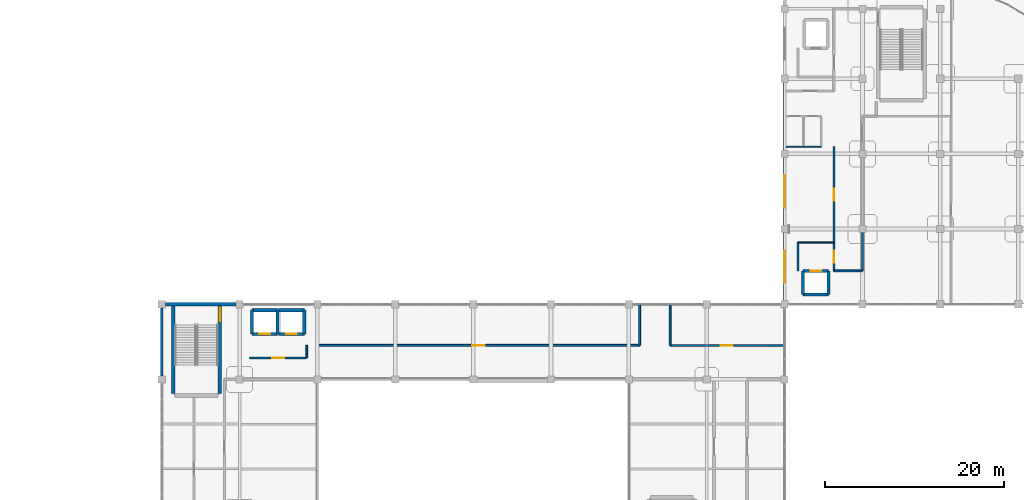
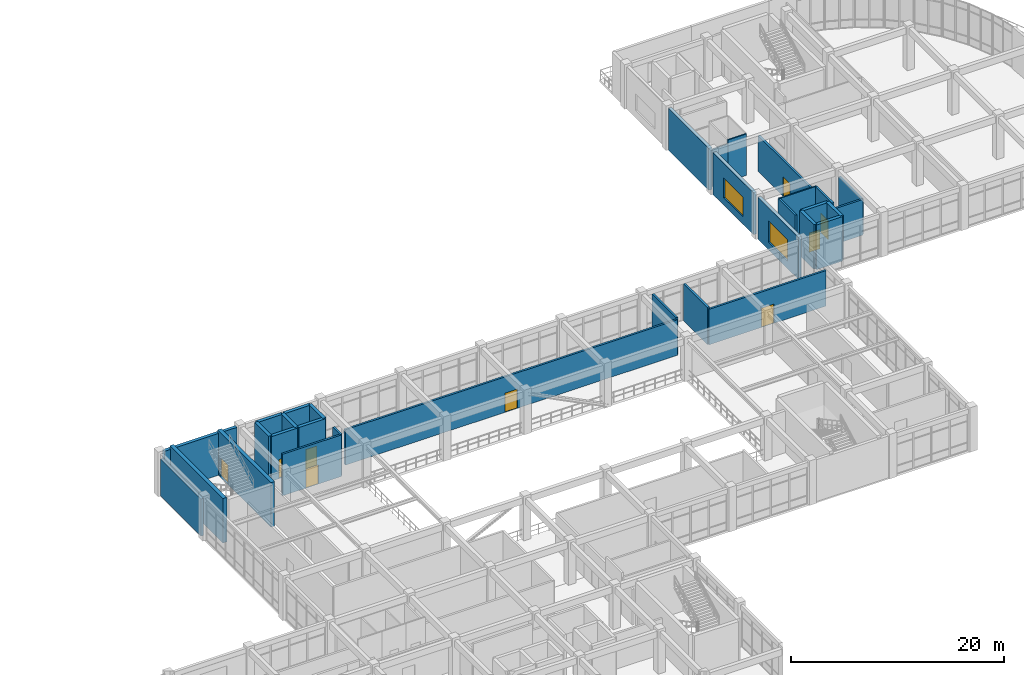
# One storey, part 82 of 96: 32 walls, 9 doors, 2 windows, 11 openings.
"""IFC4 building model written with IfcOpenShell, lengths in metres."""

from ifc_helpers import new_model, si_unit, derived_unit, direction, frame, frame_2d, origin, place, context, subcontext, project, spatial, rectangle, extrude, material, layer, layer_set, type_object, element, fill, save


model = new_model("IFC4")

# Units and contexts
model_context = context("Model", 3, precision=1e-05, world=origin(), true_north=direction((0.0, 1.0)))
body_context = subcontext(model_context, "Body", "Model", "MODEL_VIEW")
ifc_project = project(units=[si_unit("LENGTHUNIT", "METRE"), si_unit("AREAUNIT", "SQUARE_METRE"), si_unit("VOLUMEUNIT", "CUBIC_METRE"), si_unit("PLANEANGLEUNIT", "RADIAN"), si_unit("MASSUNIT", "GRAM", prefix="KILO"), derived_unit("THERMALTRANSMITTANCEUNIT", [(si_unit("MASSUNIT", "GRAM", prefix="KILO"), 1), (si_unit("TIMEUNIT", "SECOND"), -3), (si_unit("THERMODYNAMICTEMPERATUREUNIT", "KELVIN"), -1)])], contexts=[model_context])

# Site, building, storey
site_placement = place(None, origin())
site = spatial("IfcSite", under=ifc_project, at=site_placement, CompositionType="ELEMENT")
building_placement = place(site_placement, origin())
building = spatial("IfcBuilding", under=site, at=building_placement, Name="Qinzheling Arcade Emporium", CompositionType="ELEMENT")
storey_placement = place(building_placement, frame((0.0, 0.0, 21.60009765625)))
storey = spatial("IfcBuildingStorey", under=building, at=storey_placement, Name="L05", CompositionType="ELEMENT", Elevation=21.60009765625)

# Wall
ifc_material_1 = material(Name="Double-stud acoustic gypsum board partition")
ifc_layer_1 = layer(ifc_material_1, 0.215087890625, Name="Double-stud acoustic gypsum board partition")
ifc_layer_set_1 = layer_set([ifc_layer_1], Name="Double-stud acoustic gypsum board partition")
wall_type_1 = type_object("IfcWallType", Name="Acoustic Corridor Partition Wall 215", PredefinedType="PARTITIONING", material=ifc_layer_set_1)
wall_1_placement = place(storey_placement, frame((51.0, 69.199951171875, 0.0), z_axis=(0.0, 0.0, 1.0), x_axis=(0.0, -1.0, 0.0)))
element("IfcWall", 1, at=wall_1_placement, inside=storey, type_object=wall_type_1, Name="Interior Wall WL-L05-INT-0701", PredefinedType="PARTITIONING", context=body_context, shape_type="SweptSolid", body=[
    extrude(rectangle(XDim=1.39990234375, YDim=0.215087890625, at=frame_2d((0.699951171875, 0.0))), origin(), (0.0, 0.0, 1.0), 4.760009765625),
])

# Wall, opening, door
wall_2_placement = place(storey_placement, frame((51.0, 67.800048828125, 0.0), z_axis=(0.0, 0.0, 1.0), x_axis=(-1.0, 0.0, 0.0)))
wall_2 = element("IfcWall", 2, at=wall_2_placement, inside=storey, type_object=wall_type_1, Name="Interior Wall WL-L05-INT-0702", PredefinedType="PARTITIONING", context=body_context, shape_type="SweptSolid", body=[
    extrude(rectangle(XDim=6.39990234375, YDim=0.215087890625, at=frame_2d((3.199951171875, 0.0))), origin(), (0.0, 0.0, 1.0), 4.760009765625),
])
opening_1_placement = place(wall_2_placement, frame((2.52490234375, 0.0, 0.0)))
opening_1 = element("IfcOpeningElement", 3, at=opening_1_placement, cuts=wall_2, Name="Opening FD05", PredefinedType="OPENING", context=body_context, shape_type="SweptSolid", body=[
    extrude(rectangle(XDim=1.35009765625, YDim=2.199951171875, at=frame_2d((0.675048828125, 1.10009765625))), frame((0.0, 0.11767578125, 0.0), z_axis=(0.0, -1.0, 0.0), x_axis=(1.0, 0.0, 0.0)), (0.0, 0.0, 1.0), 0.235107421875),
])
ifc_material_2 = material(Name="Class B fire-rated stainless-clad door")
door_type_1 = type_object("IfcDoorType", Name="Kitchen Fire-Rated Service Door 1350x2200", OperationType="NOTDEFINED", PredefinedType="DOOR", material=ifc_material_2)
door_1_placement = place(opening_1_placement, origin())
door_1 = element("IfcDoor", 4, at=door_1_placement, inside=storey, type_object=door_type_1, Name="FD05 Interior Door DR-L05-INT-0198", OperationType="SINGLE_SWING_LEFT", OverallHeight=2.199951171875, OverallWidth=1.35009765625, PredefinedType="DOOR", context=body_context, shape_type="SweptSolid", body=[
    extrude(rectangle(XDim=1.35009765625, YDim=2.199951171875, at=frame_2d((0.675048828125, 1.10009765625))), frame((0.0, 0.02490234375, 0.0), z_axis=(0.0, -1.0, 0.0), x_axis=(1.0, 0.0, 0.0)), (0.0, 0.0, 1.0), 0.050048828125),
])
fill(opening_1, door_1)

wall_3_placement = place(storey_placement, frame((109.89990234375, 80.699951171875, 0.0), z_axis=(0.0, 0.0, 1.0), x_axis=(0.0, -1.0, 0.0)))
wall_3 = element("IfcWall", 5, at=wall_3_placement, inside=storey, type_object=wall_type_1, Name="Interior Wall WL-L05-INT-0706", PredefinedType="PARTITIONING", context=body_context, shape_type="SweptSolid", body=[
    extrude(rectangle(XDim=3.169921875, YDim=0.215087890625, at=frame_2d((1.5849609375, 0.0))), origin(), (0.0, 0.0, 1.0), 4.760009765625),
])
opening_2_placement = place(wall_3_placement, frame((0.909912109375, 0.0, 0.0)))
opening_2 = element("IfcOpeningElement", 6, at=opening_2_placement, cuts=wall_3, Name="Opening FD05", PredefinedType="OPENING", context=body_context, shape_type="SweptSolid", body=[
    extrude(rectangle(XDim=1.35009765625, YDim=2.199951171875, at=frame_2d((0.675048828125, 1.10009765625))), frame((0.0, 0.11767578125, 0.0), z_axis=(0.0, -1.0, 0.0), x_axis=(1.0, 0.0, 0.0)), (0.0, 0.0, 1.0), 0.235107421875),
])
door_2_placement = place(opening_2_placement, origin())
door_2 = element("IfcDoor", 7, at=door_2_placement, inside=storey, type_object=door_type_1, Name="FD05 Interior Door DR-L05-INT-0200", OperationType="SINGLE_SWING_LEFT", OverallHeight=2.199951171875, OverallWidth=1.35009765625, PredefinedType="DOOR", context=body_context, shape_type="SweptSolid", body=[
    extrude(rectangle(XDim=1.35009765625, YDim=2.199951171875, at=frame_2d((0.675048828125, 1.10009765625))), frame((0.0, 0.02490234375, 0.0), z_axis=(0.0, -1.0, 0.0), x_axis=(1.0, 0.0, 0.0)), (0.0, 0.0, 1.0), 0.050048828125),
])
fill(opening_2, door_2)

# Walls
wall_4_placement = place(storey_placement, frame((113.10009765625, 81.7900390625, 0.0), z_axis=(0.0, 0.0, 1.0), x_axis=(0.0, -1.0, 0.0)))
element("IfcWall", 8, at=wall_4_placement, inside=storey, type_object=wall_type_1, Name="Interior Wall WL-L05-INT-0730", PredefinedType="PARTITIONING", context=body_context, shape_type="SweptSolid", body=[
    extrude(rectangle(XDim=4.260009765625, YDim=0.215087890625, at=frame_2d((2.1298828125, 0.0))), origin(), (0.0, 0.0, 1.0), 4.074951171875),
])
wall_5_placement = place(storey_placement, frame((113.10009765625, 77.530029296875, 0.0), z_axis=(0.0, 0.0, 1.0), x_axis=(-1.0, 0.0, 0.0)))
element("IfcWall", 9, at=wall_5_placement, inside=storey, type_object=wall_type_1, Name="Interior Wall WL-L05-INT-0731", PredefinedType="PARTITIONING", context=body_context, shape_type="SweptSolid", body=[
    extrude(rectangle(XDim=3.2001953125, YDim=0.215087890625, at=frame_2d((1.60009765625, 0.0))), origin(), (0.0, 0.0, 1.0), 4.074951171875),
])

# Wall, opening, door
wall_6_placement = place(storey_placement, frame((109.89990234375, 80.699951171875, 0.0), z_axis=(0.0, 0.0, 1.0), x_axis=(0.0, 1.0, 0.0)))
wall_6 = element("IfcWall", 10, at=wall_6_placement, inside=storey, type_object=wall_type_1, Name="Interior Wall WL-L05-INT-0732", PredefinedType="PARTITIONING", context=body_context, shape_type="SweptSolid", body=[
    extrude(rectangle(XDim=10.699951171875, YDim=0.215087890625, at=frame_2d((5.35009765625, 0.0))), origin(), (0.0, 0.0, 1.0), 4.074951171875),
])
opening_3_placement = place(wall_6_placement, frame((4.675048828125, 0.0, 0.0)))
opening_3 = element("IfcOpeningElement", 11, at=opening_3_placement, cuts=wall_6, Name="Opening FD05", PredefinedType="OPENING", context=body_context, shape_type="SweptSolid", body=[
    extrude(rectangle(XDim=1.35009765625, YDim=2.199951171875, at=frame_2d((0.675048828125, 1.10009765625))), frame((0.0, 0.11767578125, 0.0), z_axis=(0.0, -1.0, 0.0), x_axis=(1.0, 0.0, 0.0)), (0.0, 0.0, 1.0), 0.235107421875),
])
door_3_placement = place(opening_3_placement, origin())
door_3 = element("IfcDoor", 12, at=door_3_placement, inside=storey, type_object=door_type_1, Name="FD05 Interior Door DR-L05-INT-0222", OperationType="SINGLE_SWING_LEFT", OverallHeight=2.199951171875, OverallWidth=1.35009765625, PredefinedType="DOOR", context=body_context, shape_type="SweptSolid", body=[
    extrude(rectangle(XDim=1.35009765625, YDim=2.199951171875, at=frame_2d((0.675048828125, 1.10009765625))), frame((0.0, 0.02490234375, 0.0), z_axis=(0.0, -1.0, 0.0), x_axis=(1.0, 0.0, 0.0)), (0.0, 0.0, 1.0), 0.050048828125),
])
fill(opening_3, door_3)

# Wall
wall_7_placement = place(storey_placement, frame((91.60009765625, 73.699951171875, 0.0), z_axis=(0.0, 0.0, 1.0), x_axis=(0.0, -1.0, 0.0)))
element("IfcWall", 13, at=wall_7_placement, inside=storey, type_object=wall_type_1, Name="Interior Wall WL-L05-INT-0765", PredefinedType="PARTITIONING", context=body_context, shape_type="SweptSolid", body=[
    extrude(rectangle(XDim=4.5, YDim=0.215087890625, at=frame_2d((2.25, 0.0))), origin(), (0.0, 0.0, 1.0), 4.260009765625),
])

# Wall, opening, door
wall_8_placement = place(storey_placement, frame((91.60009765625, 69.199951171875, 0.0), z_axis=(0.0, 0.0, 1.0), x_axis=(1.0, 0.0, 0.0)))
wall_8 = element("IfcWall", 14, at=wall_8_placement, inside=storey, type_object=wall_type_1, Name="Interior Wall WL-L05-INT-0766", PredefinedType="PARTITIONING", context=body_context, shape_type="SweptSolid", body=[
    extrude(rectangle(XDim=12.699951171875, YDim=0.215087890625, at=frame_2d((6.35009765625, 0.0))), origin(), (0.0, 0.0, 1.0), 4.059814453125),
])
opening_4_placement = place(wall_8_placement, frame((5.675048828125, 0.0, 0.0)))
opening_4 = element("IfcOpeningElement", 15, at=opening_4_placement, cuts=wall_8, Name="Opening FD05", PredefinedType="OPENING", context=body_context, shape_type="SweptSolid", body=[
    extrude(rectangle(XDim=1.35009765625, YDim=2.199951171875, at=frame_2d((0.675048828125, 1.10009765625))), frame((0.0, 0.11767578125, 0.0), z_axis=(0.0, -1.0, 0.0), x_axis=(1.0, 0.0, 0.0)), (0.0, 0.0, 1.0), 0.235107421875),
])
door_4_placement = place(opening_4_placement, origin())
door_4 = element("IfcDoor", 16, at=door_4_placement, inside=storey, type_object=door_type_1, Name="FD05 Interior Door DR-L05-INT-0215", OperationType="SINGLE_SWING_RIGHT", OverallHeight=2.199951171875, OverallWidth=1.35009765625, PredefinedType="DOOR", context=body_context, shape_type="SweptSolid", body=[
    extrude(rectangle(XDim=1.35009765625, YDim=2.199951171875, at=frame_2d((0.675048828125, 1.10009765625))), frame((0.0, 0.02490234375, 0.0), z_axis=(0.0, -1.0, 0.0), x_axis=(1.0, 0.0, 0.0)), (0.0, 0.0, 1.0), 0.050048828125),
])
fill(opening_4, door_4)

wall_9_placement = place(storey_placement, frame((52.199951171875, 69.199951171875, 0.0), z_axis=(0.0, 0.0, 1.0), x_axis=(1.0, 0.0, 0.0)))
wall_9 = element("IfcWall", 17, at=wall_9_placement, inside=storey, type_object=wall_type_1, Name="Interior Wall WL-L05-INT-0767", PredefinedType="PARTITIONING", context=body_context, shape_type="SweptSolid", body=[
    extrude(rectangle(XDim=36.0, YDim=0.215087890625, at=frame_2d((18.0, 0.0))), origin(), (0.0, 0.0, 1.0), 4.059814453125),
])
opening_5_placement = place(wall_9_placement, frame((17.324951171875, 0.0, 0.0)))
opening_5 = element("IfcOpeningElement", 18, at=opening_5_placement, cuts=wall_9, Name="Opening FD05", PredefinedType="OPENING", context=body_context, shape_type="SweptSolid", body=[
    extrude(rectangle(XDim=1.35009765625, YDim=2.199951171875, at=frame_2d((0.675048828125, 1.10009765625))), frame((0.0, 0.11767578125, 0.0), z_axis=(0.0, -1.0, 0.0), x_axis=(1.0, 0.0, 0.0)), (0.0, 0.0, 1.0), 0.235107421875),
])
door_5_placement = place(opening_5_placement, origin())
door_5 = element("IfcDoor", 19, at=door_5_placement, inside=storey, type_object=door_type_1, Name="FD05 Interior Door DR-L05-INT-0216", OperationType="SINGLE_SWING_LEFT", OverallHeight=2.199951171875, OverallWidth=1.35009765625, PredefinedType="DOOR", context=body_context, shape_type="SweptSolid", body=[
    extrude(rectangle(XDim=1.35009765625, YDim=2.199951171875, at=frame_2d((0.675048828125, 1.10009765625))), frame((0.0, 0.02490234375, 0.0), z_axis=(0.0, -1.0, 0.0), x_axis=(1.0, 0.0, 0.0)), (0.0, 0.0, 1.0), 0.050048828125),
])
fill(opening_5, door_5)

# Walls
wall_10_placement = place(storey_placement, frame((88.199951171875, 69.199951171875, 0.0), z_axis=(0.0, 0.0, 1.0), x_axis=(0.0, 1.0, 0.0)))
element("IfcWall", 20, at=wall_10_placement, inside=storey, type_object=wall_type_1, Name="Interior Wall WL-L05-INT-0768", PredefinedType="PARTITIONING", context=body_context, shape_type="SweptSolid", body=[
    extrude(rectangle(XDim=4.5, YDim=0.215087890625, at=frame_2d((2.25, 0.0))), origin(), (0.0, 0.0, 1.0), 4.260009765625),
])
ifc_material_3 = material(Name="Insulated aluminium-clad spandrel wall", Category="aluminium")
ifc_layer_2 = layer(ifc_material_3, 0.260009765625, Name="Insulated aluminium-clad spandrel wall", Category="aluminium")
ifc_layer_set_2 = layer_set([ifc_layer_2], Name="Insulated aluminium-clad spandrel wall")
wall_type_2 = type_object("IfcWallType", Name="Arcade Clerestory Spandrel Wall 260", PredefinedType="STANDARD", material=ifc_layer_set_2)
wall_11_placement = place(storey_placement, frame((34.800048828125, 65.802001953125, 0.0), z_axis=(0.0, 0.0, 1.0), x_axis=(0.0, 1.0, 0.0)))
element("IfcWall", 21, at=wall_11_placement, inside=storey, type_object=wall_type_2, Name="Exterior Wall WL-L05-EW-0279", PredefinedType="STANDARD", context=body_context, shape_type="SweptSolid", body=[
    extrude(rectangle(XDim=7.595947265625, YDim=0.260009765625, at=frame_2d((3.7978515625, 0.0))), origin(), (0.0, 0.0, 1.0), 4.2548828125),
])
ifc_material_4 = material(Name="Fluted granite ashlar on Concrete C40", Category="masonry")
ifc_layer_3 = layer(ifc_material_4, 0.35009765625, Name="Fluted granite ashlar on Concrete C40", Category="masonry")
ifc_layer_set_3 = layer_set([ifc_layer_3], Name="Fluted granite ashlar on Concrete C40")
wall_type_3 = type_object("IfcWallType", Name="Fluted Granite Logistics Wall 350", PredefinedType="STANDARD", material=ifc_layer_set_3)
wall_12_placement = place(storey_placement, frame((35.201904296875, 73.800048828125, 0.0), z_axis=(0.0, 0.0, 1.0), x_axis=(1.0, 0.0, 0.0)))
element("IfcWall", 22, at=wall_12_placement, inside=storey, type_object=wall_type_3, Name="Exterior Wall WL-L05-EW-0280", PredefinedType="STANDARD", context=body_context, shape_type="SweptSolid", body=[
    extrude(rectangle(XDim=7.89599609375, YDim=0.35009765625, at=frame_2d((3.947998046875, 0.0))), origin(), (0.0, 0.0, 1.0), 4.789794921875),
])

# Wall, opening, window
wall_13_placement = place(storey_placement, frame((104.39990234375, 74.201904296875, 0.0), z_axis=(0.0, 0.0, 1.0), x_axis=(0.0, 1.0, 0.0)))
wall_13 = element("IfcWall", 23, at=wall_13_placement, inside=storey, type_object=wall_type_3, Name="Exterior Wall WL-L05-EW-0284", PredefinedType="STANDARD", context=body_context, shape_type="SweptSolid", body=[
    extrude(rectangle(XDim=7.59619140625, YDim=0.35009765625, at=frame_2d((3.798095703125, 0.0))), origin(), (0.0, 0.0, 1.0), 4.789794921875),
])
opening_6_placement = place(wall_13_placement, frame((1.998046875, 0.0, 0.85009765625)))
opening_6 = element("IfcOpeningElement", 24, at=opening_6_placement, cuts=wall_13, Name="Opening WN25", PredefinedType="OPENING", context=body_context, shape_type="SweptSolid", body=[
    extrude(rectangle(XDim=3.60009765625, YDim=2.449951171875, at=frame_2d((1.800048828125, 1.22509765625))), frame((0.0, 0.18505859375, 0.0), z_axis=(0.0, -1.0, 0.0), x_axis=(1.0, 0.0, 0.0)), (0.0, 0.0, 1.0), 0.3701171875),
])
ifc_material_5 = material(Name="Thermally broken aluminium frame with solar-control double glazing", Category="aluminium")
window_type_1 = type_object("IfcWindowType", Name="Chicago Tripartite Window 3600x2450", PartitioningType="TRIPLE_PANEL_VERTICAL", PredefinedType="WINDOW", material=ifc_material_5)
window_1_placement = place(opening_6_placement, origin())
window_1 = element("IfcWindow", 25, at=window_1_placement, inside=storey, type_object=window_type_1, Name="WN25 Window WN-L05-0071", OverallHeight=2.449951171875, OverallWidth=3.60009765625, PartitioningType="TRIPLE_PANEL_VERTICAL", PredefinedType="WINDOW", context=body_context, shape_type="SweptSolid", body=[
    extrude(rectangle(XDim=3.60009765625, YDim=2.449951171875, at=frame_2d((1.800048828125, 1.22509765625))), frame((0.0, 0.030029296875, 0.0), z_axis=(0.0, -1.0, 0.0), x_axis=(1.0, 0.0, 0.0)), (0.0, 0.0, 1.0), 0.06005859375),
])
fill(opening_6, window_1)

wall_14_placement = place(storey_placement, frame((104.39990234375, 82.60205078125, 0.0), z_axis=(0.0, 0.0, 1.0), x_axis=(0.0, 1.0, 0.0)))
wall_14 = element("IfcWall", 26, at=wall_14_placement, inside=storey, type_object=wall_type_3, Name="Exterior Wall WL-L05-EW-0285", PredefinedType="STANDARD", context=body_context, shape_type="SweptSolid", body=[
    extrude(rectangle(XDim=7.595947265625, YDim=0.35009765625, at=frame_2d((3.7978515625, 0.0))), origin(), (0.0, 0.0, 1.0), 4.789794921875),
])
opening_7_placement = place(wall_14_placement, frame((1.998046875, 0.0, 0.85009765625)))
opening_7 = element("IfcOpeningElement", 27, at=opening_7_placement, cuts=wall_14, Name="Opening WN26", PredefinedType="OPENING", context=body_context, shape_type="SweptSolid", body=[
    extrude(rectangle(XDim=3.60009765625, YDim=2.25, at=frame_2d((1.800048828125, 1.125))), frame((0.0, 0.18505859375, 0.0), z_axis=(0.0, -1.0, 0.0), x_axis=(1.0, 0.0, 0.0)), (0.0, 0.0, 1.0), 0.3701171875),
])
window_type_2 = type_object("IfcWindowType", Name="Chicago Tripartite Window 3600x2250", PartitioningType="TRIPLE_PANEL_VERTICAL", PredefinedType="WINDOW", material=ifc_material_5)
window_2_placement = place(opening_7_placement, origin())
window_2 = element("IfcWindow", 28, at=window_2_placement, inside=storey, type_object=window_type_2, Name="WN26 Window WN-L05-0072", OverallHeight=2.25, OverallWidth=3.60009765625, PartitioningType="TRIPLE_PANEL_VERTICAL", PredefinedType="WINDOW", context=body_context, shape_type="SweptSolid", body=[
    extrude(rectangle(XDim=3.60009765625, YDim=2.25, at=frame_2d((1.800048828125, 1.125))), frame((0.0, 0.030029296875, 0.0), z_axis=(0.0, -1.0, 0.0), x_axis=(1.0, 0.0, 0.0)), (0.0, 0.0, 1.0), 0.06005859375),
])
fill(opening_7, window_2)

# Walls
wall_15_placement = place(storey_placement, frame((104.39990234375, 91.001953125, 0.0), z_axis=(0.0, 0.0, 1.0), x_axis=(0.0, 1.0, 0.0)))
element("IfcWall", 29, at=wall_15_placement, inside=storey, type_object=wall_type_3, Name="Exterior Wall WL-L05-EW-0286", PredefinedType="STANDARD", context=body_context, shape_type="SweptSolid", body=[
    extrude(rectangle(XDim=7.595947265625, YDim=0.35009765625, at=frame_2d((3.7978515625, 0.0))), origin(), (0.0, 0.0, 1.0), 4.789794921875),
])
ifc_material_6 = material(Name="Ceramic-tiled cement-board partition")
ifc_layer_4 = layer(ifc_material_6, 0.18505859375, Name="Ceramic-tiled cement-board partition")
ifc_layer_set_4 = layer_set([ifc_layer_4], Name="Ceramic-tiled cement-board partition")
wall_type_4 = type_object("IfcWallType", Name="Food Hall Kitchen Partition Wall 185", PredefinedType="PARTITIONING", material=ifc_layer_set_4)
wall_16_placement = place(storey_placement, frame((105.89990234375, 77.530029296875, 0.0), z_axis=(0.0, 0.0, 1.0), x_axis=(0.0, 1.0, 0.0)))
element("IfcWall", 30, at=wall_16_placement, inside=storey, type_object=wall_type_4, Name="Interior Wall WL-L05-INT-0707", PredefinedType="PARTITIONING", context=body_context, shape_type="SweptSolid", body=[
    extrude(rectangle(XDim=3.169921875, YDim=0.18505859375, at=frame_2d((1.5849609375, 0.0))), origin(), (0.0, 0.0, 1.0), 4.760009765625),
])
ifc_material_7 = material(Name="Moisture-resistant shaftliner gypsum board")
ifc_layer_5 = layer(ifc_material_7, 0.155029296875, Name="Moisture-resistant shaftliner gypsum board")
ifc_layer_set_5 = layer_set([ifc_layer_5], Name="Moisture-resistant shaftliner gypsum board")
wall_type_5 = type_object("IfcWallType", Name="Plumbing and Service Riser Wall 155", PredefinedType="MOVABLE", material=ifc_layer_set_5)
wall_17_placement = place(storey_placement, frame((106.5, 91.39990234375, 0.0), z_axis=(0.0, 0.0, 1.0), x_axis=(-1.0, 0.0, 0.0)))
element("IfcWall", 31, at=wall_17_placement, inside=storey, type_object=wall_type_5, Name="Interior Wall WL-L05-INT-0721", PredefinedType="MOVABLE", context=body_context, shape_type="SweptSolid", body=[
    extrude(rectangle(XDim=1.919921875, YDim=0.155029296875, at=frame_2d((0.9599609375, 0.0))), origin(), (0.0, 0.0, 1.0), 4.27490234375),
])
ifc_material_8 = material(Name="Concrete C40", Category="concrete")
ifc_layer_6 = layer(ifc_material_8, 0.35009765625, Name="Concrete C40", Category="concrete")
ifc_layer_set_6 = layer_set([ifc_layer_6], Name="Concrete C40")
wall_type_6 = type_object("IfcWallType", Name="RC Lift Shaft Shear Wall 350 C40", PredefinedType="SHEAR", material=ifc_layer_set_6)
wall_18_placement = place(storey_placement, frame((44.875, 73.125, 0.0), z_axis=(0.0, 0.0, 1.0), x_axis=(1.0, 0.0, 0.0)))
element("IfcWall", 32, at=wall_18_placement, inside=storey, type_object=wall_type_6, Name="Lift Shaft Wall WL-L05-LFT-LP03-N", PredefinedType="SHEAR", context=body_context, shape_type="SweptSolid", body=[
    extrude(rectangle(XDim=2.85009765625, YDim=0.35009765625, at=frame_2d((1.425048828125, 0.0))), origin(), (0.0, 0.0, 1.0), 5.099853515625),
])

# Wall, opening, door
wall_19_placement = place(storey_placement, frame((47.72509765625, 70.47509765625, 0.0), z_axis=(0.0, 0.0, 1.0), x_axis=(-1.0, 0.0, 0.0)))
wall_19 = element("IfcWall", 33, at=wall_19_placement, inside=storey, type_object=wall_type_6, Name="Lift Shaft Wall WL-L05-LFT-LP03-S", PredefinedType="SHEAR", context=body_context, shape_type="SweptSolid", body=[
    extrude(rectangle(XDim=2.85009765625, YDim=0.35009765625, at=frame_2d((1.425048828125, 0.0))), origin(), (0.0, 0.0, 1.0), 5.099853515625),
])
opening_8_placement = place(wall_19_placement, frame((0.824951171875, 0.0, 0.0)))
opening_8 = element("IfcOpeningElement", 34, at=opening_8_placement, cuts=wall_19, Name="Opening LD02", PredefinedType="OPENING", context=body_context, shape_type="SweptSolid", body=[
    extrude(rectangle(XDim=1.199951171875, YDim=2.199951171875, at=frame_2d((0.60009765625, 1.10009765625))), frame((0.0, 0.18505859375, 0.0), z_axis=(0.0, -1.0, 0.0), x_axis=(1.0, 0.0, 0.0)), (0.0, 0.0, 1.0), 0.3701171875),
])
ifc_material_9 = material(Name="Brushed bronze stainless sliding lift door")
door_type_2 = type_object("IfcDoorType", Name="Passenger Lift Sliding Landing Door 1200x2200", OperationType="DOUBLE_DOOR_SLIDING", PredefinedType="DOOR", material=ifc_material_9)
door_6_placement = place(opening_8_placement, origin())
door_6 = element("IfcDoor", 35, at=door_6_placement, inside=storey, type_object=door_type_2, Name="LD02 Lift Landing Door LP03 L05", OperationType="DOUBLE_DOOR_SLIDING", OverallHeight=2.199951171875, OverallWidth=1.199951171875, PredefinedType="DOOR", context=body_context, shape_type="SweptSolid", body=[
    extrude(rectangle(XDim=1.199951171875, YDim=2.199951171875, at=frame_2d((0.60009765625, 1.10009765625))), frame((0.0, 0.02490234375, 0.0), z_axis=(0.0, -1.0, 0.0), x_axis=(1.0, 0.0, 0.0)), (0.0, 0.0, 1.0), 0.050048828125),
])
fill(opening_8, door_6)

# Walls
for number, where, z_axis, x_axis, name in (
    (36, (44.875, 70.47509765625, 0.0), (0.0, 0.0, 1.0), (0.0, 1.0, 0.0), "Lift Shaft Wall WL-L05-LFT-LP03-W"),
    (37, (47.72509765625, 73.125, 0.0), (0.0, 0.0, 1.0), (0.0, -1.0, 0.0), "Lift Shaft Wall WL-L05-LFT-LP03-E"),
):
    element("IfcWall", number, at=place(storey_placement, frame(where, z_axis=z_axis, x_axis=x_axis)), inside=storey, type_object=wall_type_6, Name=name, PredefinedType="SHEAR", context=body_context, shape_type="SweptSolid", body=[
        extrude(rectangle(XDim=2.64990234375, YDim=0.35009765625, at=frame_2d((1.324951171875, 0.0))), origin(), (0.0, 0.0, 1.0), 5.099853515625),
    ])
wall_20_placement = place(storey_placement, frame((47.875, 73.125, 0.0), z_axis=(0.0, 0.0, 1.0), x_axis=(1.0, 0.0, 0.0)))
element("IfcWall", 38, at=wall_20_placement, inside=storey, type_object=wall_type_6, Name="Lift Shaft Wall WL-L05-LFT-LP04-N", PredefinedType="SHEAR", context=body_context, shape_type="SweptSolid", body=[
    extrude(rectangle(XDim=2.85009765625, YDim=0.35009765625, at=frame_2d((1.425048828125, 0.0))), origin(), (0.0, 0.0, 1.0), 5.099853515625),
])

# Wall, opening, door
wall_21_placement = place(storey_placement, frame((50.72509765625, 70.47509765625, 0.0), z_axis=(0.0, 0.0, 1.0), x_axis=(-1.0, 0.0, 0.0)))
wall_21 = element("IfcWall", 39, at=wall_21_placement, inside=storey, type_object=wall_type_6, Name="Lift Shaft Wall WL-L05-LFT-LP04-S", PredefinedType="SHEAR", context=body_context, shape_type="SweptSolid", body=[
    extrude(rectangle(XDim=2.85009765625, YDim=0.35009765625, at=frame_2d((1.425048828125, 0.0))), origin(), (0.0, 0.0, 1.0), 5.099853515625),
])
opening_9_placement = place(wall_21_placement, frame((0.824951171875, 0.0, 0.0)))
opening_9 = element("IfcOpeningElement", 40, at=opening_9_placement, cuts=wall_21, Name="Opening LD02", PredefinedType="OPENING", context=body_context, shape_type="SweptSolid", body=[
    extrude(rectangle(XDim=1.199951171875, YDim=2.199951171875, at=frame_2d((0.60009765625, 1.10009765625))), frame((0.0, 0.18505859375, 0.0), z_axis=(0.0, -1.0, 0.0), x_axis=(1.0, 0.0, 0.0)), (0.0, 0.0, 1.0), 0.3701171875),
])
door_7_placement = place(opening_9_placement, origin())
door_7 = element("IfcDoor", 41, at=door_7_placement, inside=storey, type_object=door_type_2, Name="LD02 Lift Landing Door LP04 L05", OperationType="DOUBLE_DOOR_SLIDING", OverallHeight=2.199951171875, OverallWidth=1.199951171875, PredefinedType="DOOR", context=body_context, shape_type="SweptSolid", body=[
    extrude(rectangle(XDim=1.199951171875, YDim=2.199951171875, at=frame_2d((0.60009765625, 1.10009765625))), frame((0.0, 0.02490234375, 0.0), z_axis=(0.0, -1.0, 0.0), x_axis=(1.0, 0.0, 0.0)), (0.0, 0.0, 1.0), 0.050048828125),
])
fill(opening_9, door_7)

# Wall
wall_22_placement = place(storey_placement, frame((50.72509765625, 73.125, 0.0), z_axis=(0.0, 0.0, 1.0), x_axis=(0.0, -1.0, 0.0)))
element("IfcWall", 42, at=wall_22_placement, inside=storey, type_object=wall_type_6, Name="Lift Shaft Wall WL-L05-LFT-LP04-E", PredefinedType="SHEAR", context=body_context, shape_type="SweptSolid", body=[
    extrude(rectangle(XDim=2.64990234375, YDim=0.35009765625, at=frame_2d((1.324951171875, 0.0))), origin(), (0.0, 0.0, 1.0), 5.099853515625),
])

# Wall, opening, door
wall_23_placement = place(storey_placement, frame((106.47509765625, 77.52490234375, 0.0), z_axis=(0.0, 0.0, 1.0), x_axis=(1.0, 0.0, 0.0)))
wall_23 = element("IfcWall", 43, at=wall_23_placement, inside=storey, type_object=wall_type_6, Name="Lift Shaft Wall WL-L05-LFT-LP06-N", PredefinedType="SHEAR", context=body_context, shape_type="SweptSolid", body=[
    extrude(rectangle(XDim=2.849853515625, YDim=0.35009765625, at=frame_2d((1.4248046875, 0.0))), origin(), (0.0, 0.0, 1.0), 5.099853515625),
])
opening_10_placement = place(wall_23_placement, frame((0.824951171875, 0.0, 0.0)))
opening_10 = element("IfcOpeningElement", 44, at=opening_10_placement, cuts=wall_23, Name="Opening LD02", PredefinedType="OPENING", context=body_context, shape_type="SweptSolid", body=[
    extrude(rectangle(XDim=1.199951171875, YDim=2.199951171875, at=frame_2d((0.60009765625, 1.10009765625))), frame((0.0, 0.18505859375, 0.0), z_axis=(0.0, -1.0, 0.0), x_axis=(1.0, 0.0, 0.0)), (0.0, 0.0, 1.0), 0.3701171875),
])
door_8_placement = place(opening_10_placement, origin())
door_8 = element("IfcDoor", 45, at=door_8_placement, inside=storey, type_object=door_type_2, Name="LD02 Lift Landing Door LP06 L05", OperationType="DOUBLE_DOOR_SLIDING", OverallHeight=2.199951171875, OverallWidth=1.199951171875, PredefinedType="DOOR", context=body_context, shape_type="SweptSolid", body=[
    extrude(rectangle(XDim=1.199951171875, YDim=2.199951171875, at=frame_2d((0.60009765625, 1.10009765625))), frame((0.0, 0.02490234375, 0.0), z_axis=(0.0, -1.0, 0.0), x_axis=(1.0, 0.0, 0.0)), (0.0, 0.0, 1.0), 0.050048828125),
])
fill(opening_10, door_8)

# Walls
wall_24_placement = place(storey_placement, frame((109.324951171875, 74.875, 0.0), z_axis=(0.0, 0.0, 1.0), x_axis=(-1.0, 0.0, 0.0)))
element("IfcWall", 46, at=wall_24_placement, inside=storey, type_object=wall_type_6, Name="Lift Shaft Wall WL-L05-LFT-LP06-S", PredefinedType="SHEAR", context=body_context, shape_type="SweptSolid", body=[
    extrude(rectangle(XDim=2.849853515625, YDim=0.35009765625, at=frame_2d((1.4248046875, 0.0))), origin(), (0.0, 0.0, 1.0), 5.099853515625),
])
for number, where, z_axis, x_axis, name in (
    (47, (106.47509765625, 74.875, 0.0), (0.0, 0.0, 1.0), (0.0, 1.0, 0.0), "Lift Shaft Wall WL-L05-LFT-LP06-W"),
    (48, (109.324951171875, 77.52490234375, 0.0), (0.0, 0.0, 1.0), (0.0, -1.0, 0.0), "Lift Shaft Wall WL-L05-LFT-LP06-E"),
):
    element("IfcWall", number, at=place(storey_placement, frame(where, z_axis=z_axis, x_axis=x_axis)), inside=storey, type_object=wall_type_6, Name=name, PredefinedType="SHEAR", context=body_context, shape_type="SweptSolid", body=[
        extrude(rectangle(XDim=2.64990234375, YDim=0.35009765625, at=frame_2d((1.324951171875, 0.0))), origin(), (0.0, 0.0, 1.0), 5.099853515625),
    ])
ifc_material_10 = material(Name="Concrete C50", Category="concrete")
ifc_layer_7 = layer(ifc_material_10, 0.39990234375, Name="Concrete C50", Category="concrete")
ifc_layer_set_7 = layer_set([ifc_layer_7], Name="Concrete C50")
wall_type_7 = type_object("IfcWallType", Name="RC Stair Core Shear Wall 400 C50", PredefinedType="SHEAR", material=ifc_layer_set_7)
wall_25_placement = place(storey_placement, frame((36.10009765625, 63.800048828125, 0.0), z_axis=(0.0, 0.0, 1.0), x_axis=(0.0, 1.0, 0.0)))
element("IfcWall", 49, at=wall_25_placement, inside=storey, type_object=wall_type_7, Name="Stair Core Wall WL-L05-ST03-WEST", PredefinedType="SHEAR", context=body_context, shape_type="SweptSolid", body=[
    extrude(rectangle(XDim=10.0, YDim=0.39990234375, at=frame_2d((5.0, 0.0))), origin(), (0.0, 0.0, 1.0), 5.099853515625),
])

# Wall, opening, door
wall_26_placement = place(storey_placement, frame((41.2900390625, 73.800048828125, 0.0), z_axis=(0.0, 0.0, 1.0), x_axis=(0.0, -1.0, 0.0)))
wall_26 = element("IfcWall", 50, at=wall_26_placement, inside=storey, type_object=wall_type_7, Name="Stair Core Wall WL-L05-ST03-EAST", PredefinedType="SHEAR", context=body_context, shape_type="SweptSolid", body=[
    extrude(rectangle(XDim=10.0, YDim=0.39990234375, at=frame_2d((5.0, 0.0))), origin(), (0.0, 0.0, 1.0), 5.099853515625),
])
opening_11_placement = place(wall_26_placement, frame((0.409912109375, 0.0, 0.0)))
opening_11 = element("IfcOpeningElement", 51, at=opening_11_placement, cuts=wall_26, Name="Opening FD01", PredefinedType="OPENING", context=body_context, shape_type="SweptSolid", body=[
    extrude(rectangle(XDim=1.5, YDim=2.199951171875, at=frame_2d((0.75, 1.10009765625))), frame((0.0, 0.2099609375, 0.0), z_axis=(0.0, -1.0, 0.0), x_axis=(1.0, 0.0, 0.0)), (0.0, 0.0, 1.0), 0.419921875),
])
ifc_material_11 = material(Name="Class A fire-rated steel double door", Category="steel")
door_type_3 = type_object("IfcDoorType", Name="Stairwell Smoke-Proof Fire Door 1500x2200", OperationType="DOUBLE_DOOR_SINGLE_SWING", PredefinedType="DOOR", material=ifc_material_11)
door_9_placement = place(opening_11_placement, origin())
door_9 = element("IfcDoor", 52, at=door_9_placement, inside=storey, type_object=door_type_3, Name="FD01 Stairwell Fire Door DR-L05-ST03-FD", OperationType="DOUBLE_DOOR_SINGLE_SWING", OverallHeight=2.199951171875, OverallWidth=1.5, PredefinedType="DOOR", context=body_context, shape_type="SweptSolid", body=[
    extrude(rectangle(XDim=1.5, YDim=2.199951171875, at=frame_2d((0.75, 1.10009765625))), frame((0.0, 0.02490234375, 0.0), z_axis=(0.0, -1.0, 0.0), x_axis=(1.0, 0.0, 0.0)), (0.0, 0.0, 1.0), 0.050048828125),
])
fill(opening_11, door_9)

# Walls
ifc_material_12 = material(Name="Moisture-resistant cement-board WC partition")
ifc_layer_8 = layer(ifc_material_12, 0.14501953125, Name="Moisture-resistant cement-board WC partition")
ifc_layer_set_8 = layer_set([ifc_layer_8], Name="Moisture-resistant cement-board WC partition")
wall_type_8 = type_object("IfcWallType", Name="Washroom Moisture Partition Wall 145", PredefinedType="PARTITIONING", material=ifc_layer_set_8)
wall_27_placement = place(storey_placement, frame((105.89990234375, 80.699951171875, 0.0), z_axis=(0.0, 0.0, 1.0), x_axis=(1.0, 0.0, 0.0)))
element("IfcWall", 53, at=wall_27_placement, inside=storey, type_object=wall_type_8, Name="Interior Wall WL-L05-INT-0708", PredefinedType="PARTITIONING", context=body_context, shape_type="SweptSolid", body=[
    extrude(rectangle(XDim=4.0, YDim=0.14501953125, at=frame_2d((2.0, 0.0))), origin(), (0.0, 0.0, 1.0), 4.760009765625),
])
wall_28_placement = place(storey_placement, frame((108.5, 91.39990234375, 0.0), z_axis=(0.0, 0.0, 1.0), x_axis=(-1.0, 0.0, 0.0)))
element("IfcWall", 54, at=wall_28_placement, inside=storey, type_object=wall_type_8, Name="Interior Wall WL-L05-INT-0723", PredefinedType="PARTITIONING", context=body_context, shape_type="SweptSolid", body=[
    extrude(rectangle(XDim=2.0, YDim=0.14501953125, at=frame_2d((1.0, 0.0))), origin(), (0.0, 0.0, 1.0), 4.760009765625),
])

save(model, "model.ifc")
